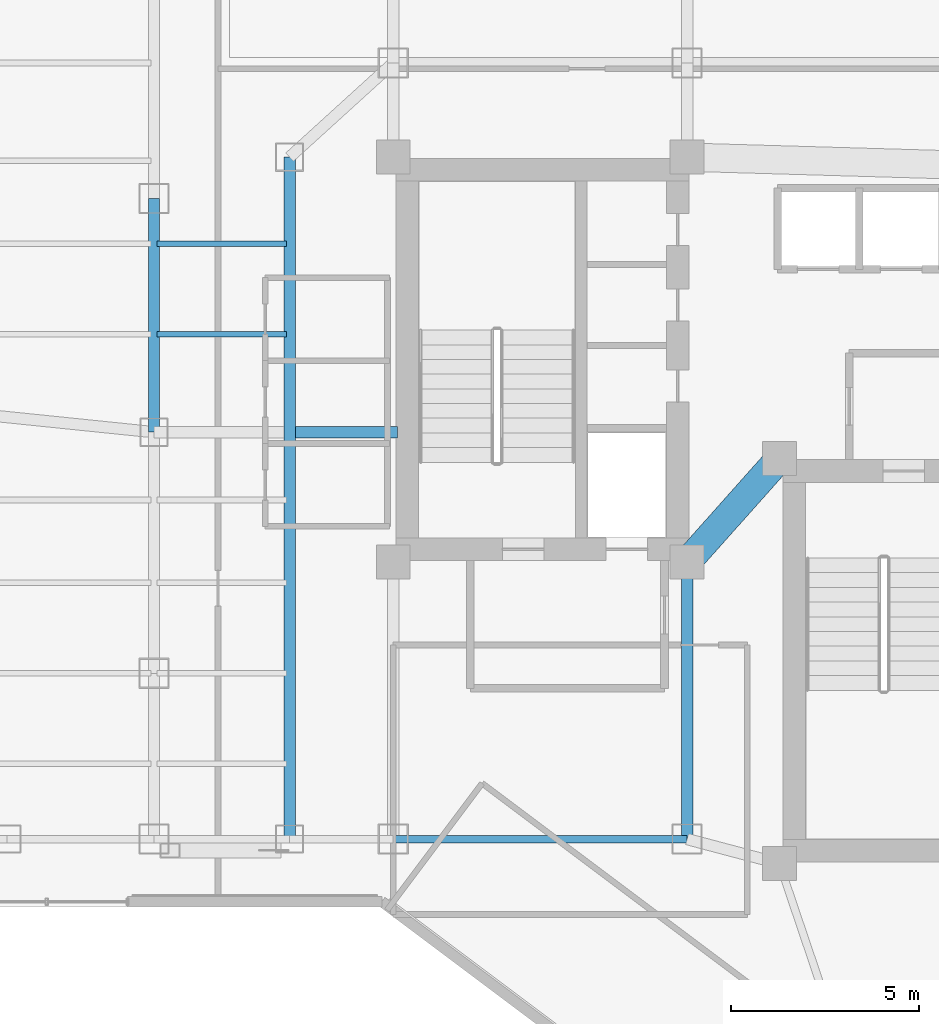
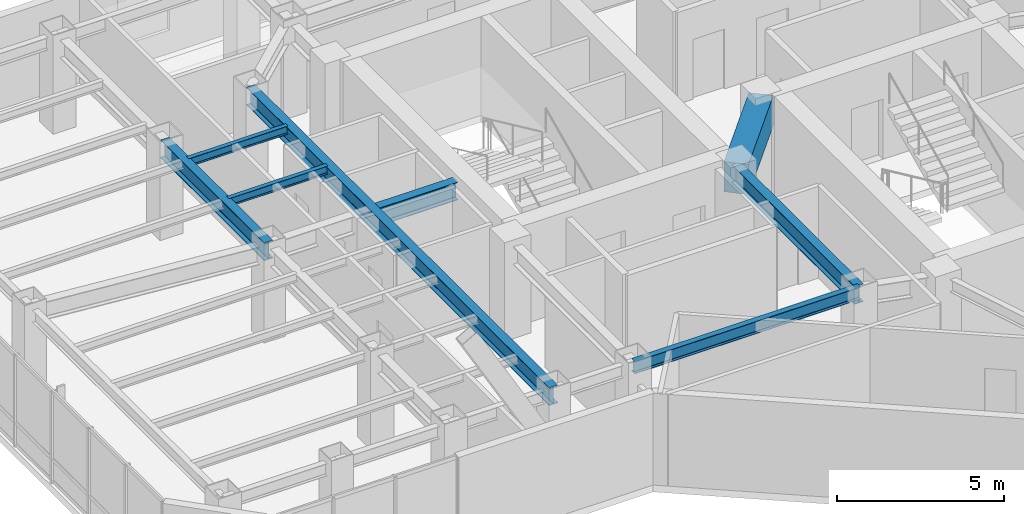
# One storey, part 9 of 28: 8 beams.
"""IFC4 building model written with IfcOpenShell, lengths in metres."""

from ifc_helpers import new_model, si_unit, direction, frame, origin, origin_2d, place, context, subcontext, project, spatial, rectangle, i_section, extrude, material, material_profile, profile_set, type_object, element, save


model = new_model("IFC4")

# Units and contexts
model_context = context("Model", 3, precision=1e-05, world=origin(), true_north=direction((0.0, 1.0)))
body_context = subcontext(model_context, "Body", "Model", "MODEL_VIEW")
ifc_project = project(units=[si_unit("LENGTHUNIT", "METRE"), si_unit("AREAUNIT", "SQUARE_METRE"), si_unit("VOLUMEUNIT", "CUBIC_METRE"), si_unit("PLANEANGLEUNIT", "RADIAN"), si_unit("MASSUNIT", "GRAM", prefix="KILO")], contexts=[model_context])

# Site, building, storey
site_placement = place(None, origin())
site = spatial("IfcSite", under=ifc_project, at=site_placement, CompositionType="ELEMENT")
building_placement = place(site_placement, origin())
building = spatial("IfcBuilding", under=site, at=building_placement, Name="Hatsunagi Terrace Concourse", CompositionType="ELEMENT")
storey_placement = place(building_placement, frame((0.0, 0.0, 170.85009765625)))
storey = spatial("IfcBuildingStorey", under=building, at=storey_placement, Name="L45", CompositionType="ELEMENT", Elevation=170.85009765625)

# Beams
ifc_material_1 = material(Name="Concrete Fc48", Category="concrete")
ifc_material_profile_1 = material_profile(ifc_material_1, rectangle(XDim=0.75, YDim=1.10009765625, at=origin_2d()), Name="RC-750x1100")
ifc_profile_set_1 = profile_set([ifc_material_profile_1], Name="Concrete Fc48")
beam_type_1 = type_object("IfcBeamType", Name="CoreCouplingBeam_RC_750x1100", PredefinedType="BEAM", material=ifc_profile_set_1)
beam_1_placement = place(storey_placement, frame((33.35009765625, 32.550048828125, 2.7998046875), z_axis=(0.665198651008, 0.746666427997, 0.0), x_axis=(-0.746666427997, 0.665198651008, 0.0)))
element("IfcBeam", 1, at=beam_1_placement, inside=storey, type_object=beam_type_1, Name="Beam CB-02 CB-L45-1", PredefinedType="BEAM", context=body_context, shape_type="SweptSolid", body=[
    extrude(rectangle(XDim=0.75, YDim=1.10009765625, at=origin_2d()), origin(), (0.0, 0.0, 1.0), 3.68310546875),
])
ifc_material_2 = material(Name="Steel SN490B", Category="steel")
ifc_material_profile_2 = material_profile(ifc_material_2, i_section(OverallWidth=0.14990234375, OverallDepth=0.300048828125, WebThickness=0.006591796875, FlangeThickness=0.009033203125, FilletRadius=0.010986328125, at=origin_2d()), Name="H-300x150x6.5x9")
ifc_profile_set_2 = profile_set([ifc_material_profile_2], Name="Steel SN490B")
beam_type_2 = type_object("IfcBeamType", Name="OfficeJoist_H_300x150", PredefinedType="JOIST", material=ifc_profile_set_2)
for number, where, z_axis, x_axis, name in (
    (2, (19.284912109375, 38.60009765625, 3.199951171875), (1.0, 0.0, 0.0), (0.0, 1.0, 0.0), "Beam J-03 J-L45-W-19-386"),
    (3, (19.284912109375, 41.0, 3.199951171875), (1.0, 0.0, 0.0), (0.0, 1.0, 0.0), "Beam J-03 J-L45-W-19-410"),
):
    element("IfcBeam", number, at=place(storey_placement, frame(where, z_axis=z_axis, x_axis=x_axis)), inside=storey, type_object=beam_type_2, Name=name, PredefinedType="JOIST", context=body_context, shape_type="SweptSolid", body=[
        extrude(i_section(OverallWidth=0.14990234375, OverallDepth=0.300048828125, WebThickness=0.006591796875, FlangeThickness=0.009033203125, FilletRadius=0.010986328125, at=origin_2d()), origin(), (0.0, 0.0, 1.0), 3.43017578125),
    ])
ifc_material_3 = material(Name="Steel SN490B", Category="steel")
ifc_material_profile_3 = material_profile(ifc_material_3, i_section(OverallWidth=0.300048828125, OverallDepth=0.64990234375, WebThickness=0.012939453125, FlangeThickness=0.02197265625, FilletRadius=0.01806640625, at=origin_2d()), Name="H-650x300x13x22")
ifc_profile_set_3 = profile_set([ifc_material_profile_3], Name="Steel SN490B")
beam_type_3 = type_object("IfcBeamType", Name="OfficeLowGirder_H_650x300", PredefinedType="BEAM", material=ifc_profile_set_3)
beam_2_placement = place(storey_placement, frame((33.35009765625, 25.199951171875, 3.02490234375), z_axis=(0.0, 1.0, 0.0), x_axis=(-1.0, 0.0, 0.0)))
element("IfcBeam", 4, at=beam_2_placement, inside=storey, type_object=beam_type_3, Name="Beam G-05 BM-L45-K2CA", PredefinedType="BEAM", context=body_context, shape_type="SweptSolid", body=[
    extrude(i_section(OverallWidth=0.300048828125, OverallDepth=0.64990234375, WebThickness=0.012939453125, FlangeThickness=0.02197265625, FilletRadius=0.01806640625, at=origin_2d()), origin(), (0.0, 0.0, 1.0), 7.35009765625),
])
beam_3_placement = place(storey_placement, frame((22.800048828125, 25.199951171875, 3.02490234375), z_axis=(0.0, 1.0, 0.0), x_axis=(-1.0, 0.0, 0.0)))
element("IfcBeam", 5, at=beam_3_placement, inside=storey, type_object=beam_type_3, Name="Beam G-05 BM-L45-CWNS", PredefinedType="BEAM", context=body_context, shape_type="SweptSolid", body=[
    extrude(i_section(OverallWidth=0.300048828125, OverallDepth=0.64990234375, WebThickness=0.012939453125, FlangeThickness=0.02197265625, FilletRadius=0.01806640625, at=origin_2d()), origin(), (0.0, 0.0, 1.0), 18.10009765625),
])
beam_4_placement = place(storey_placement, frame((19.199951171875, 36.0, 3.02490234375), z_axis=(0.0, 1.0, 0.0), x_axis=(-1.0, 0.0, 0.0)))
element("IfcBeam", 6, at=beam_4_placement, inside=storey, type_object=beam_type_3, Name="Beam G-05 BM-L45-NS-19-36", PredefinedType="BEAM", context=body_context, shape_type="SweptSolid", body=[
    extrude(i_section(OverallWidth=0.300048828125, OverallDepth=0.64990234375, WebThickness=0.012939453125, FlangeThickness=0.02197265625, FilletRadius=0.01806640625, at=origin_2d()), origin(), (0.0, 0.0, 1.0), 6.199951171875),
])
beam_5_placement = place(storey_placement, frame((22.949951171875, 36.0, 3.02490234375), z_axis=(1.0, 0.0, 0.0), x_axis=(0.0, 1.0, 0.0)))
element("IfcBeam", 7, at=beam_5_placement, inside=storey, type_object=beam_type_3, Name="Beam G-05 BM-L45-EW-4", PredefinedType="BEAM", context=body_context, shape_type="SweptSolid", body=[
    extrude(i_section(OverallWidth=0.300048828125, OverallDepth=0.64990234375, WebThickness=0.012939453125, FlangeThickness=0.02197265625, FilletRadius=0.01806640625, at=origin_2d()), origin(), (0.0, 0.0, 1.0), 2.7099609375),
])
ifc_material_4 = material(Name="Steel SN490B", Category="steel")
ifc_material_profile_4 = material_profile(ifc_material_4, i_section(OverallWidth=0.199951171875, OverallDepth=0.449951171875, WebThickness=0.009033203125, FlangeThickness=0.013916015625, FilletRadius=0.01611328125, at=origin_2d()), Name="H-450x200x9x14")
ifc_profile_set_4 = profile_set([ifc_material_profile_4], Name="Steel SN490B")
beam_type_4 = type_object("IfcBeamType", Name="PerimeterSpandrel_H_450x200", PredefinedType="SPANDREL", material=ifc_profile_set_4)
beam_6_placement = place(storey_placement, frame((25.550048828125, 25.199951171875, 3.125), z_axis=(1.0, 0.0, 0.0), x_axis=(0.0, 1.0, 0.0)))
element("IfcBeam", 8, at=beam_6_placement, inside=storey, type_object=beam_type_4, Name="Beam SP-02 BM-L45-WS-25", PredefinedType="SPANDREL", context=body_context, shape_type="SweptSolid", body=[
    extrude(i_section(OverallWidth=0.199951171875, OverallDepth=0.449951171875, WebThickness=0.009033203125, FlangeThickness=0.013916015625, FilletRadius=0.01611328125, at=origin_2d()), origin(), (0.0, 0.0, 1.0), 7.800048828125),
])

save(model, "model.ifc")
